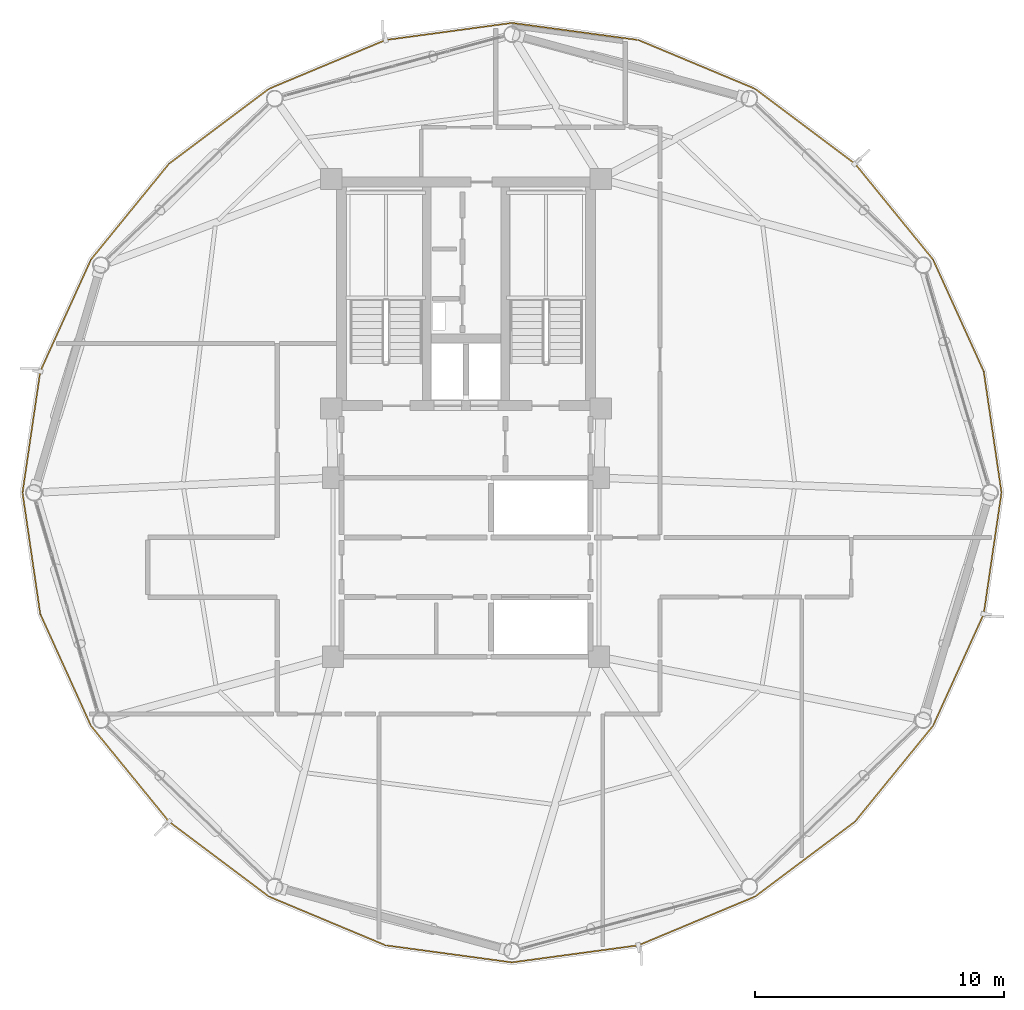
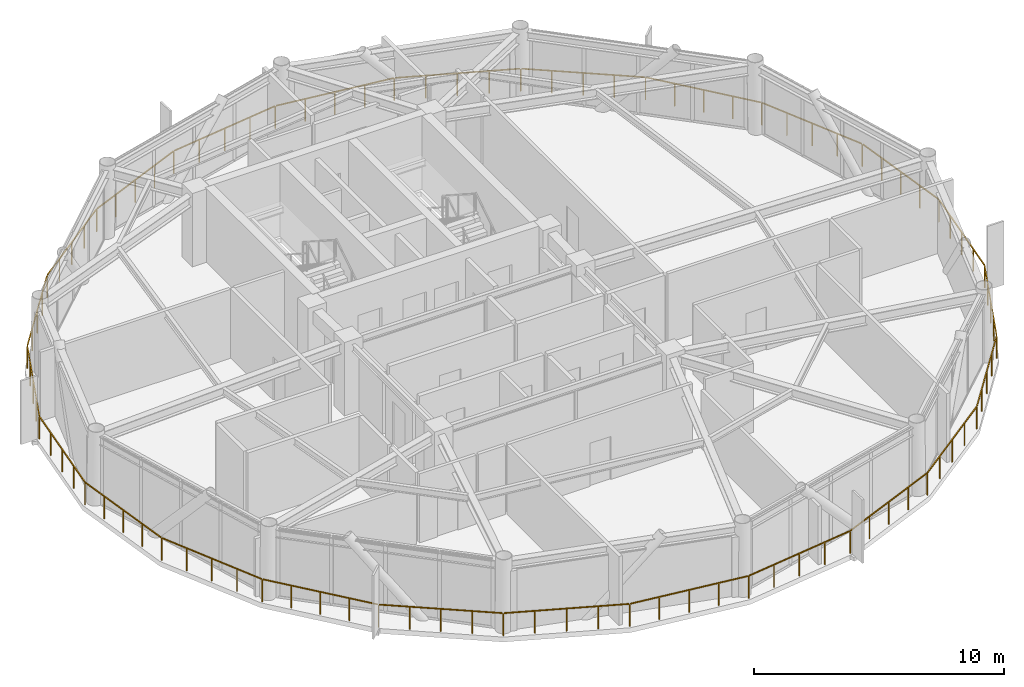
# One storey, part 27 of 28: 1 railing.
"""IFC4 building model written with IfcOpenShell, lengths in metres."""

from ifc_helpers import new_model, si_unit, direction, frame, origin, origin_2d, place, context, subcontext, project, spatial, rectangle, extrude, material, type_object, element, save


model = new_model("IFC4")

# Units and contexts
model_context = context("Model", 3, precision=1e-05, world=origin(), true_north=direction((0.0, 1.0)))
body_context = subcontext(model_context, "Body", "Model", "MODEL_VIEW")
ifc_project = project(units=[si_unit("LENGTHUNIT", "METRE"), si_unit("AREAUNIT", "SQUARE_METRE"), si_unit("VOLUMEUNIT", "CUBIC_METRE"), si_unit("PLANEANGLEUNIT", "RADIAN"), si_unit("MASSUNIT", "GRAM", prefix="KILO")], contexts=[model_context])

# Site, building, storey
site_placement = place(None, origin())
site = spatial("IfcSite", under=ifc_project, at=site_placement, CompositionType="ELEMENT")
building_placement = place(site_placement, origin())
building = spatial("IfcBuilding", under=site, at=building_placement, Name="Varnakorn Sky Granary", CompositionType="ELEMENT")
storey_placement = place(building_placement, frame((0.0, 0.0, 207.60009765625)))
storey = spatial("IfcBuildingStorey", under=building, at=storey_placement, Name="L52", CompositionType="ELEMENT", Elevation=207.60009765625)

# Railing
ifc_material = material(Name="Anodised Bronze Aluminium Alloy 6063-T6", Category="aluminium")
railing_type = type_object("IfcRailingType", Name="RL-BAL-1120", PredefinedType="BALUSTRADE", material=ifc_material)
railing_placement = place(storey_placement, frame((24.538818359375, 0.0, 0.0)))
element("IfcRailing", 1, at=railing_placement, inside=storey, type_object=railing_type, Name="Perimeter Slab-Edge Safety Guard L52", PredefinedType="BALUSTRADE", context=body_context, shape_type="SweptSolid", body=[
    extrude(rectangle(XDim=0.048095703125, YDim=0.048095703125, at=origin_2d()), frame((-0.004150390625, -0.027587890625, 1.09619140625), z_axis=(-0.144805094895, -0.989460198539, 0.0), x_axis=(0.989460198539, -0.144805094895, 0.0)), (0.0, 0.0, 1.0), 4.8720703125),
    extrude(rectangle(XDim=0.048095703125, YDim=0.048095703125, at=origin_2d()), frame((-0.72509765625, -4.901611328125, 1.09619140625), z_axis=(-0.412715645346, -0.910859921221, 0.0), x_axis=(0.910859921221, -0.412715645346, 0.0)), (0.0, 0.0, 1.0), 4.88525390625),
    extrude(rectangle(XDim=0.048095703125, YDim=0.048095703125, at=origin_2d()), frame((-2.7705078125, -9.398681640625, 1.09619140625), z_axis=(-0.631516617586, -0.775362342207, 0.0), x_axis=(0.775362342207, -0.631516617586, 0.0)), (0.0, 0.0, 1.0), 4.915283203125),
    extrude(rectangle(XDim=0.048095703125, YDim=0.048095703125, at=origin_2d()), frame((-5.914794921875, -13.248291015625, 1.09619140625), z_axis=(-0.800011663243, -0.599984448694, 0.0), x_axis=(0.599984448694, -0.800011663243, 0.0)), (0.0, 0.0, 1.0), 4.9677734375),
    extrude(rectangle(XDim=0.048095703125, YDim=0.048095703125, at=origin_2d()), frame((-9.937255859375, -16.25634765625, 1.09619140625), z_axis=(-0.922667444666, -0.385596663048, 0.0), x_axis=(0.385596663048, -0.922667444666, 0.0)), (0.0, 0.0, 1.0), 5.03076171875),
    extrude(rectangle(XDim=0.048095703125, YDim=0.048095703125, at=origin_2d()), frame((-14.632568359375, -18.210693359375, 1.09619140625), z_axis=(-0.990992771791, -0.133915369757, 0.0), x_axis=(0.133915369757, -0.990992771791, 0.0)), (0.0, 0.0, 1.0), 5.07421875),
    extrude(rectangle(XDim=0.048095703125, YDim=0.048095703125, at=origin_2d()), frame((-19.716552734375, -18.890380859375, 1.09619140625), z_axis=(-0.990992771791, 0.133915369757, 0.0), x_axis=(-0.133915369757, -0.990992771791, 0.0)), (0.0, 0.0, 1.0), 5.07421875),
    extrude(rectangle(XDim=0.048095703125, YDim=0.048095703125, at=origin_2d()), frame((-24.798583984375, -18.1962890625, 1.09619140625), z_axis=(-0.922674580407, 0.385579587984, 0.0), x_axis=(-0.385579587984, -0.922674580407, 0.0)), (0.0, 0.0, 1.0), 5.031005859375),
    extrude(rectangle(XDim=0.048095703125, YDim=0.048095703125, at=origin_2d()), frame((-29.48876953125, -16.228759765625, 1.09619140625), z_axis=(-0.800011663243, 0.599984448694, 0.0), x_axis=(-0.599984448694, -0.800011663243, 0.0)), (0.0, 0.0, 1.0), 4.9677734375),
    extrude(rectangle(XDim=0.048095703125, YDim=0.048095703125, at=origin_2d()), frame((-33.5029296875, -13.209716796875, 1.09619140625), z_axis=(-0.631516617586, 0.775362342207, 0.0), x_axis=(-0.775362342207, -0.631516617586, 0.0)), (0.0, 0.0, 1.0), 4.915283203125),
    extrude(rectangle(XDim=0.048095703125, YDim=0.048095703125, at=origin_2d()), frame((-36.63623046875, -9.3515625, 1.09619140625), z_axis=(-0.412715645346, 0.910859921221, 0.0), x_axis=(-0.910859921221, -0.412715645346, 0.0)), (0.0, 0.0, 1.0), 4.88525390625),
    extrude(rectangle(XDim=0.048095703125, YDim=0.048095703125, at=origin_2d()), frame((-38.668212890625, -4.8486328125, 1.09619140625), z_axis=(-0.144805094895, 0.989460198539, 0.0), x_axis=(-0.989460198539, -0.144805094895, 0.0)), (0.0, 0.0, 1.0), 4.8720703125),
    extrude(rectangle(XDim=0.048095703125, YDim=0.048095703125, at=origin_2d()), frame((-39.37353515625, 0.027587890625, 1.09619140625), z_axis=(0.144805094895, 0.989460198539, 0.0), x_axis=(-0.989460198539, 0.144805094895, 0.0)), (0.0, 0.0, 1.0), 4.8720703125),
    extrude(rectangle(XDim=0.048095703125, YDim=0.048095703125, at=origin_2d()), frame((-38.652587890625, 4.901611328125, 1.09619140625), z_axis=(0.412715645346, 0.910859921221, 0.0), x_axis=(-0.910859921221, 0.412715645346, 0.0)), (0.0, 0.0, 1.0), 4.88525390625),
    extrude(rectangle(XDim=0.048095703125, YDim=0.048095703125, at=origin_2d()), frame((-36.607177734375, 9.398681640625, 1.09619140625), z_axis=(0.631516617586, 0.775362342207, 0.0), x_axis=(-0.775362342207, 0.631516617586, 0.0)), (0.0, 0.0, 1.0), 4.915283203125),
    extrude(rectangle(XDim=0.048095703125, YDim=0.048095703125, at=origin_2d()), frame((-33.462890625, 13.248291015625, 1.09619140625), z_axis=(0.800011663243, 0.599984448694, 0.0), x_axis=(-0.599984448694, 0.800011663243, 0.0)), (0.0, 0.0, 1.0), 4.9677734375),
    extrude(rectangle(XDim=0.048095703125, YDim=0.048095703125, at=origin_2d()), frame((-29.4404296875, 16.25634765625, 1.09619140625), z_axis=(0.922674580407, 0.385579587984, 0.0), x_axis=(-0.385579587984, 0.922674580407, 0.0)), (0.0, 0.0, 1.0), 5.031005859375),
    extrude(rectangle(XDim=0.048095703125, YDim=0.048095703125, at=origin_2d()), frame((-24.744873046875, 18.210693359375, 1.09619140625), z_axis=(0.990992771791, 0.133915369757, 0.0), x_axis=(-0.133915369757, 0.990992771791, 0.0)), (0.0, 0.0, 1.0), 5.07421875),
    extrude(rectangle(XDim=0.048095703125, YDim=0.048095703125, at=origin_2d()), frame((-19.660888671875, 18.890380859375, 1.09619140625), z_axis=(0.990992771791, -0.133915369757, 0.0), x_axis=(0.133915369757, 0.990992771791, 0.0)), (0.0, 0.0, 1.0), 5.07421875),
    extrude(rectangle(XDim=0.048095703125, YDim=0.048095703125, at=origin_2d()), frame((-14.578857421875, 18.1962890625, 1.09619140625), z_axis=(0.922667444666, -0.385596663048, 0.0), x_axis=(0.385596663048, 0.922667444666, 0.0)), (0.0, 0.0, 1.0), 5.03076171875),
    extrude(rectangle(XDim=0.048095703125, YDim=0.048095703125, at=origin_2d()), frame((-9.888916015625, 16.228759765625, 1.09619140625), z_axis=(0.800011663243, -0.599984448694, 0.0), x_axis=(0.599984448694, 0.800011663243, 0.0)), (0.0, 0.0, 1.0), 4.9677734375),
    extrude(rectangle(XDim=0.048095703125, YDim=0.048095703125, at=origin_2d()), frame((-5.874755859375, 13.209716796875, 1.09619140625), z_axis=(0.631516617586, -0.775362342207, 0.0), x_axis=(0.775362342207, 0.631516617586, 0.0)), (0.0, 0.0, 1.0), 4.915283203125),
    extrude(rectangle(XDim=0.048095703125, YDim=0.048095703125, at=origin_2d()), frame((-2.741455078125, 9.3515625, 1.09619140625), z_axis=(0.412715645346, -0.910859921221, 0.0), x_axis=(0.910859921221, 0.412715645346, 0.0)), (0.0, 0.0, 1.0), 4.88525390625),
    extrude(rectangle(XDim=0.048095703125, YDim=0.048095703125, at=origin_2d()), frame((-0.70947265625, 4.8486328125, 1.09619140625), z_axis=(0.144805094895, -0.989460198539, 0.0), x_axis=(0.989460198539, 0.144805094895, 0.0)), (0.0, 0.0, 1.0), 4.8720703125),
    extrude(rectangle(XDim=0.0419921875, YDim=0.0419921875, at=origin_2d()), origin(), (0.0, 0.0, 1.0), 1.068115234375),
    extrude(rectangle(XDim=0.0419921875, YDim=0.0419921875, at=origin_2d()), frame((-0.178466796875, -1.218994140625, 0.0)), (0.0, 0.0, 1.0), 1.068115234375),
    extrude(rectangle(XDim=0.0419921875, YDim=0.0419921875, at=origin_2d()), frame((-0.35693359375, -2.43798828125, 0.0)), (0.0, 0.0, 1.0), 1.068115234375),
    extrude(rectangle(XDim=0.0419921875, YDim=0.0419921875, at=origin_2d()), frame((-0.53515625, -3.6572265625, 0.0)), (0.0, 0.0, 1.0), 1.068115234375),
    extrude(rectangle(XDim=0.0419921875, YDim=0.0419921875, at=origin_2d()), frame((-0.713623046875, -4.876220703125, 0.0)), (0.0, 0.0, 1.0), 1.068115234375),
    extrude(rectangle(XDim=0.0419921875, YDim=0.0419921875, at=origin_2d()), frame((-1.223388671875, -6.00146484375, 0.0)), (0.0, 0.0, 1.0), 1.068115234375),
    extrude(rectangle(XDim=0.0419921875, YDim=0.0419921875, at=origin_2d()), frame((-1.7333984375, -7.12646484375, 0.0)), (0.0, 0.0, 1.0), 1.068115234375),
    extrude(rectangle(XDim=0.0419921875, YDim=0.0419921875, at=origin_2d()), frame((-2.2431640625, -8.251708984375, 0.0)), (0.0, 0.0, 1.0), 1.068115234375),
    extrude(rectangle(XDim=0.0419921875, YDim=0.0419921875, at=origin_2d()), frame((-2.7529296875, -9.376953125, 0.0)), (0.0, 0.0, 1.0), 1.068115234375),
    extrude(rectangle(XDim=0.0419921875, YDim=0.0419921875, at=origin_2d()), frame((-3.537841796875, -10.340576171875, 0.0)), (0.0, 0.0, 1.0), 1.068115234375),
    extrude(rectangle(XDim=0.0419921875, YDim=0.0419921875, at=origin_2d()), frame((-4.32275390625, -11.30419921875, 0.0)), (0.0, 0.0, 1.0), 1.068115234375),
    extrude(rectangle(XDim=0.0419921875, YDim=0.0419921875, at=origin_2d()), frame((-5.107421875, -12.267822265625, 0.0)), (0.0, 0.0, 1.0), 1.068115234375),
    extrude(rectangle(XDim=0.0419921875, YDim=0.0419921875, at=origin_2d()), frame((-5.892333984375, -13.2314453125, 0.0)), (0.0, 0.0, 1.0), 1.068115234375),
    extrude(rectangle(XDim=0.0419921875, YDim=0.0419921875, at=origin_2d()), frame((-6.89697265625, -13.98486328125, 0.0)), (0.0, 0.0, 1.0), 1.068115234375),
    extrude(rectangle(XDim=0.0419921875, YDim=0.0419921875, at=origin_2d()), frame((-7.90185546875, -14.738525390625, 0.0)), (0.0, 0.0, 1.0), 1.068115234375),
    extrude(rectangle(XDim=0.0419921875, YDim=0.0419921875, at=origin_2d()), frame((-8.90673828125, -15.4921875, 0.0)), (0.0, 0.0, 1.0), 1.068115234375),
    extrude(rectangle(XDim=0.0419921875, YDim=0.0419921875, at=origin_2d()), frame((-9.911376953125, -16.24560546875, 0.0)), (0.0, 0.0, 1.0), 1.068115234375),
    extrude(rectangle(XDim=0.0419921875, YDim=0.0419921875, at=origin_2d()), frame((-11.084716796875, -16.73583984375, 0.0)), (0.0, 0.0, 1.0), 1.068115234375),
    extrude(rectangle(XDim=0.0419921875, YDim=0.0419921875, at=origin_2d()), frame((-12.258056640625, -17.226318359375, 0.0)), (0.0, 0.0, 1.0), 1.068115234375),
    extrude(rectangle(XDim=0.0419921875, YDim=0.0419921875, at=origin_2d()), frame((-13.431396484375, -17.716796875, 0.0)), (0.0, 0.0, 1.0), 1.068115234375),
    extrude(rectangle(XDim=0.0419921875, YDim=0.0419921875, at=origin_2d()), frame((-14.604736328125, -18.20703125, 0.0)), (0.0, 0.0, 1.0), 1.068115234375),
    extrude(rectangle(XDim=0.0419921875, YDim=0.0419921875, at=origin_2d()), frame((-15.875732421875, -18.37890625, 0.0)), (0.0, 0.0, 1.0), 1.068115234375),
    extrude(rectangle(XDim=0.0419921875, YDim=0.0419921875, at=origin_2d()), frame((-17.146728515625, -18.550537109375, 0.0)), (0.0, 0.0, 1.0), 1.068115234375),
    extrude(rectangle(XDim=0.0419921875, YDim=0.0419921875, at=origin_2d()), frame((-18.417724609375, -18.72216796875, 0.0)), (0.0, 0.0, 1.0), 1.068115234375),
    extrude(rectangle(XDim=0.0419921875, YDim=0.0419921875, at=origin_2d()), frame((-19.688720703125, -18.89404296875, 0.0)), (0.0, 0.0, 1.0), 1.068115234375),
    extrude(rectangle(XDim=0.0419921875, YDim=0.0419921875, at=origin_2d()), frame((-20.959716796875, -18.72216796875, 0.0)), (0.0, 0.0, 1.0), 1.068115234375),
    extrude(rectangle(XDim=0.0419921875, YDim=0.0419921875, at=origin_2d()), frame((-22.230712890625, -18.550537109375, 0.0)), (0.0, 0.0, 1.0), 1.068115234375),
    extrude(rectangle(XDim=0.0419921875, YDim=0.0419921875, at=origin_2d()), frame((-23.501708984375, -18.37890625, 0.0)), (0.0, 0.0, 1.0), 1.068115234375),
    extrude(rectangle(XDim=0.0419921875, YDim=0.0419921875, at=origin_2d()), frame((-24.772705078125, -18.20703125, 0.0)), (0.0, 0.0, 1.0), 1.068115234375),
    extrude(rectangle(XDim=0.0419921875, YDim=0.0419921875, at=origin_2d()), frame((-25.946044921875, -17.716796875, 0.0)), (0.0, 0.0, 1.0), 1.068115234375),
    extrude(rectangle(XDim=0.0419921875, YDim=0.0419921875, at=origin_2d()), frame((-27.11962890625, -17.226318359375, 0.0)), (0.0, 0.0, 1.0), 1.068115234375),
    extrude(rectangle(XDim=0.0419921875, YDim=0.0419921875, at=origin_2d()), frame((-28.29296875, -16.73583984375, 0.0)), (0.0, 0.0, 1.0), 1.068115234375),
    extrude(rectangle(XDim=0.0419921875, YDim=0.0419921875, at=origin_2d()), frame((-29.46630859375, -16.24560546875, 0.0)), (0.0, 0.0, 1.0), 1.068115234375),
    extrude(rectangle(XDim=0.0419921875, YDim=0.0419921875, at=origin_2d()), frame((-30.47119140625, -15.4921875, 0.0)), (0.0, 0.0, 1.0), 1.068115234375),
    extrude(rectangle(XDim=0.0419921875, YDim=0.0419921875, at=origin_2d()), frame((-31.475830078125, -14.738525390625, 0.0)), (0.0, 0.0, 1.0), 1.068115234375),
    extrude(rectangle(XDim=0.0419921875, YDim=0.0419921875, at=origin_2d()), frame((-32.48046875, -13.98486328125, 0.0)), (0.0, 0.0, 1.0), 1.068115234375),
    extrude(rectangle(XDim=0.0419921875, YDim=0.0419921875, at=origin_2d()), frame((-33.4853515625, -13.2314453125, 0.0)), (0.0, 0.0, 1.0), 1.068115234375),
    extrude(rectangle(XDim=0.0419921875, YDim=0.0419921875, at=origin_2d()), frame((-34.270263671875, -12.267822265625, 0.0)), (0.0, 0.0, 1.0), 1.068115234375),
    extrude(rectangle(XDim=0.0419921875, YDim=0.0419921875, at=origin_2d()), frame((-35.05517578125, -11.30419921875, 0.0)), (0.0, 0.0, 1.0), 1.068115234375),
    extrude(rectangle(XDim=0.0419921875, YDim=0.0419921875, at=origin_2d()), frame((-35.83984375, -10.340576171875, 0.0)), (0.0, 0.0, 1.0), 1.068115234375),
    extrude(rectangle(XDim=0.0419921875, YDim=0.0419921875, at=origin_2d()), frame((-36.624755859375, -9.376953125, 0.0)), (0.0, 0.0, 1.0), 1.068115234375),
    extrude(rectangle(XDim=0.0419921875, YDim=0.0419921875, at=origin_2d()), frame((-37.134521484375, -8.251708984375, 0.0)), (0.0, 0.0, 1.0), 1.068115234375),
    extrude(rectangle(XDim=0.0419921875, YDim=0.0419921875, at=origin_2d()), frame((-37.64453125, -7.12646484375, 0.0)), (0.0, 0.0, 1.0), 1.068115234375),
    extrude(rectangle(XDim=0.0419921875, YDim=0.0419921875, at=origin_2d()), frame((-38.154296875, -6.00146484375, 0.0)), (0.0, 0.0, 1.0), 1.068115234375),
    extrude(rectangle(XDim=0.0419921875, YDim=0.0419921875, at=origin_2d()), frame((-38.6640625, -4.876220703125, 0.0)), (0.0, 0.0, 1.0), 1.068115234375),
    extrude(rectangle(XDim=0.0419921875, YDim=0.0419921875, at=origin_2d()), frame((-38.842529296875, -3.6572265625, 0.0)), (0.0, 0.0, 1.0), 1.068115234375),
    extrude(rectangle(XDim=0.0419921875, YDim=0.0419921875, at=origin_2d()), frame((-39.02099609375, -2.43798828125, 0.0)), (0.0, 0.0, 1.0), 1.068115234375),
    extrude(rectangle(XDim=0.0419921875, YDim=0.0419921875, at=origin_2d()), frame((-39.19921875, -1.218994140625, 0.0)), (0.0, 0.0, 1.0), 1.068115234375),
    extrude(rectangle(XDim=0.0419921875, YDim=0.0419921875, at=origin_2d()), frame((-39.377685546875, 0.0, 0.0)), (0.0, 0.0, 1.0), 1.068115234375),
    extrude(rectangle(XDim=0.0419921875, YDim=0.0419921875, at=origin_2d()), frame((-39.19921875, 1.218994140625, 0.0)), (0.0, 0.0, 1.0), 1.068115234375),
    extrude(rectangle(XDim=0.0419921875, YDim=0.0419921875, at=origin_2d()), frame((-39.02099609375, 2.43798828125, 0.0)), (0.0, 0.0, 1.0), 1.068115234375),
    extrude(rectangle(XDim=0.0419921875, YDim=0.0419921875, at=origin_2d()), frame((-38.842529296875, 3.6572265625, 0.0)), (0.0, 0.0, 1.0), 1.068115234375),
    extrude(rectangle(XDim=0.0419921875, YDim=0.0419921875, at=origin_2d()), frame((-38.6640625, 4.876220703125, 0.0)), (0.0, 0.0, 1.0), 1.068115234375),
    extrude(rectangle(XDim=0.0419921875, YDim=0.0419921875, at=origin_2d()), frame((-38.154296875, 6.00146484375, 0.0)), (0.0, 0.0, 1.0), 1.068115234375),
    extrude(rectangle(XDim=0.0419921875, YDim=0.0419921875, at=origin_2d()), frame((-37.64453125, 7.12646484375, 0.0)), (0.0, 0.0, 1.0), 1.068115234375),
    extrude(rectangle(XDim=0.0419921875, YDim=0.0419921875, at=origin_2d()), frame((-37.134521484375, 8.251708984375, 0.0)), (0.0, 0.0, 1.0), 1.068115234375),
    extrude(rectangle(XDim=0.0419921875, YDim=0.0419921875, at=origin_2d()), frame((-36.624755859375, 9.376953125, 0.0)), (0.0, 0.0, 1.0), 1.068115234375),
    extrude(rectangle(XDim=0.0419921875, YDim=0.0419921875, at=origin_2d()), frame((-35.83984375, 10.340576171875, 0.0)), (0.0, 0.0, 1.0), 1.068115234375),
    extrude(rectangle(XDim=0.0419921875, YDim=0.0419921875, at=origin_2d()), frame((-35.05517578125, 11.30419921875, 0.0)), (0.0, 0.0, 1.0), 1.068115234375),
    extrude(rectangle(XDim=0.0419921875, YDim=0.0419921875, at=origin_2d()), frame((-34.270263671875, 12.267822265625, 0.0)), (0.0, 0.0, 1.0), 1.068115234375),
    extrude(rectangle(XDim=0.0419921875, YDim=0.0419921875, at=origin_2d()), frame((-33.4853515625, 13.2314453125, 0.0)), (0.0, 0.0, 1.0), 1.068115234375),
    extrude(rectangle(XDim=0.0419921875, YDim=0.0419921875, at=origin_2d()), frame((-32.48046875, 13.98486328125, 0.0)), (0.0, 0.0, 1.0), 1.068115234375),
    extrude(rectangle(XDim=0.0419921875, YDim=0.0419921875, at=origin_2d()), frame((-31.475830078125, 14.738525390625, 0.0)), (0.0, 0.0, 1.0), 1.068115234375),
    extrude(rectangle(XDim=0.0419921875, YDim=0.0419921875, at=origin_2d()), frame((-30.47119140625, 15.4921875, 0.0)), (0.0, 0.0, 1.0), 1.068115234375),
    extrude(rectangle(XDim=0.0419921875, YDim=0.0419921875, at=origin_2d()), frame((-29.46630859375, 16.24560546875, 0.0)), (0.0, 0.0, 1.0), 1.068115234375),
    extrude(rectangle(XDim=0.0419921875, YDim=0.0419921875, at=origin_2d()), frame((-28.29296875, 16.73583984375, 0.0)), (0.0, 0.0, 1.0), 1.068115234375),
    extrude(rectangle(XDim=0.0419921875, YDim=0.0419921875, at=origin_2d()), frame((-27.11962890625, 17.226318359375, 0.0)), (0.0, 0.0, 1.0), 1.068115234375),
    extrude(rectangle(XDim=0.0419921875, YDim=0.0419921875, at=origin_2d()), frame((-25.946044921875, 17.716796875, 0.0)), (0.0, 0.0, 1.0), 1.068115234375),
    extrude(rectangle(XDim=0.0419921875, YDim=0.0419921875, at=origin_2d()), frame((-24.772705078125, 18.20703125, 0.0)), (0.0, 0.0, 1.0), 1.068115234375),
    extrude(rectangle(XDim=0.0419921875, YDim=0.0419921875, at=origin_2d()), frame((-23.501708984375, 18.37890625, 0.0)), (0.0, 0.0, 1.0), 1.068115234375),
    extrude(rectangle(XDim=0.0419921875, YDim=0.0419921875, at=origin_2d()), frame((-22.230712890625, 18.550537109375, 0.0)), (0.0, 0.0, 1.0), 1.068115234375),
    extrude(rectangle(XDim=0.0419921875, YDim=0.0419921875, at=origin_2d()), frame((-20.959716796875, 18.72216796875, 0.0)), (0.0, 0.0, 1.0), 1.068115234375),
    extrude(rectangle(XDim=0.0419921875, YDim=0.0419921875, at=origin_2d()), frame((-19.688720703125, 18.89404296875, 0.0)), (0.0, 0.0, 1.0), 1.068115234375),
    extrude(rectangle(XDim=0.0419921875, YDim=0.0419921875, at=origin_2d()), frame((-18.417724609375, 18.72216796875, 0.0)), (0.0, 0.0, 1.0), 1.068115234375),
    extrude(rectangle(XDim=0.0419921875, YDim=0.0419921875, at=origin_2d()), frame((-17.146728515625, 18.550537109375, 0.0)), (0.0, 0.0, 1.0), 1.068115234375),
    extrude(rectangle(XDim=0.0419921875, YDim=0.0419921875, at=origin_2d()), frame((-15.875732421875, 18.37890625, 0.0)), (0.0, 0.0, 1.0), 1.068115234375),
    extrude(rectangle(XDim=0.0419921875, YDim=0.0419921875, at=origin_2d()), frame((-14.604736328125, 18.20703125, 0.0)), (0.0, 0.0, 1.0), 1.068115234375),
    extrude(rectangle(XDim=0.0419921875, YDim=0.0419921875, at=origin_2d()), frame((-13.431396484375, 17.716796875, 0.0)), (0.0, 0.0, 1.0), 1.068115234375),
    extrude(rectangle(XDim=0.0419921875, YDim=0.0419921875, at=origin_2d()), frame((-12.258056640625, 17.226318359375, 0.0)), (0.0, 0.0, 1.0), 1.068115234375),
    extrude(rectangle(XDim=0.0419921875, YDim=0.0419921875, at=origin_2d()), frame((-11.084716796875, 16.73583984375, 0.0)), (0.0, 0.0, 1.0), 1.068115234375),
    extrude(rectangle(XDim=0.0419921875, YDim=0.0419921875, at=origin_2d()), frame((-9.911376953125, 16.24560546875, 0.0)), (0.0, 0.0, 1.0), 1.068115234375),
    extrude(rectangle(XDim=0.0419921875, YDim=0.0419921875, at=origin_2d()), frame((-8.90673828125, 15.4921875, 0.0)), (0.0, 0.0, 1.0), 1.068115234375),
    extrude(rectangle(XDim=0.0419921875, YDim=0.0419921875, at=origin_2d()), frame((-7.90185546875, 14.738525390625, 0.0)), (0.0, 0.0, 1.0), 1.068115234375),
    extrude(rectangle(XDim=0.0419921875, YDim=0.0419921875, at=origin_2d()), frame((-6.89697265625, 13.98486328125, 0.0)), (0.0, 0.0, 1.0), 1.068115234375),
    extrude(rectangle(XDim=0.0419921875, YDim=0.0419921875, at=origin_2d()), frame((-5.892333984375, 13.2314453125, 0.0)), (0.0, 0.0, 1.0), 1.068115234375),
    extrude(rectangle(XDim=0.0419921875, YDim=0.0419921875, at=origin_2d()), frame((-5.107421875, 12.267822265625, 0.0)), (0.0, 0.0, 1.0), 1.068115234375),
    extrude(rectangle(XDim=0.0419921875, YDim=0.0419921875, at=origin_2d()), frame((-4.32275390625, 11.30419921875, 0.0)), (0.0, 0.0, 1.0), 1.068115234375),
    extrude(rectangle(XDim=0.0419921875, YDim=0.0419921875, at=origin_2d()), frame((-3.537841796875, 10.340576171875, 0.0)), (0.0, 0.0, 1.0), 1.068115234375),
    extrude(rectangle(XDim=0.0419921875, YDim=0.0419921875, at=origin_2d()), frame((-2.7529296875, 9.376953125, 0.0)), (0.0, 0.0, 1.0), 1.068115234375),
    extrude(rectangle(XDim=0.0419921875, YDim=0.0419921875, at=origin_2d()), frame((-2.2431640625, 8.251708984375, 0.0)), (0.0, 0.0, 1.0), 1.068115234375),
    extrude(rectangle(XDim=0.0419921875, YDim=0.0419921875, at=origin_2d()), frame((-1.7333984375, 7.12646484375, 0.0)), (0.0, 0.0, 1.0), 1.068115234375),
    extrude(rectangle(XDim=0.0419921875, YDim=0.0419921875, at=origin_2d()), frame((-1.223388671875, 6.00146484375, 0.0)), (0.0, 0.0, 1.0), 1.068115234375),
    extrude(rectangle(XDim=0.0419921875, YDim=0.0419921875, at=origin_2d()), frame((-0.713623046875, 4.876220703125, 0.0)), (0.0, 0.0, 1.0), 1.068115234375),
    extrude(rectangle(XDim=0.0419921875, YDim=0.0419921875, at=origin_2d()), frame((-0.53515625, 3.6572265625, 0.0)), (0.0, 0.0, 1.0), 1.068115234375),
    extrude(rectangle(XDim=0.0419921875, YDim=0.0419921875, at=origin_2d()), frame((-0.35693359375, 2.43798828125, 0.0)), (0.0, 0.0, 1.0), 1.068115234375),
    extrude(rectangle(XDim=0.0419921875, YDim=0.0419921875, at=origin_2d()), frame((-0.178466796875, 1.218994140625, 0.0)), (0.0, 0.0, 1.0), 1.068115234375),
])

save(model, "model.ifc")
